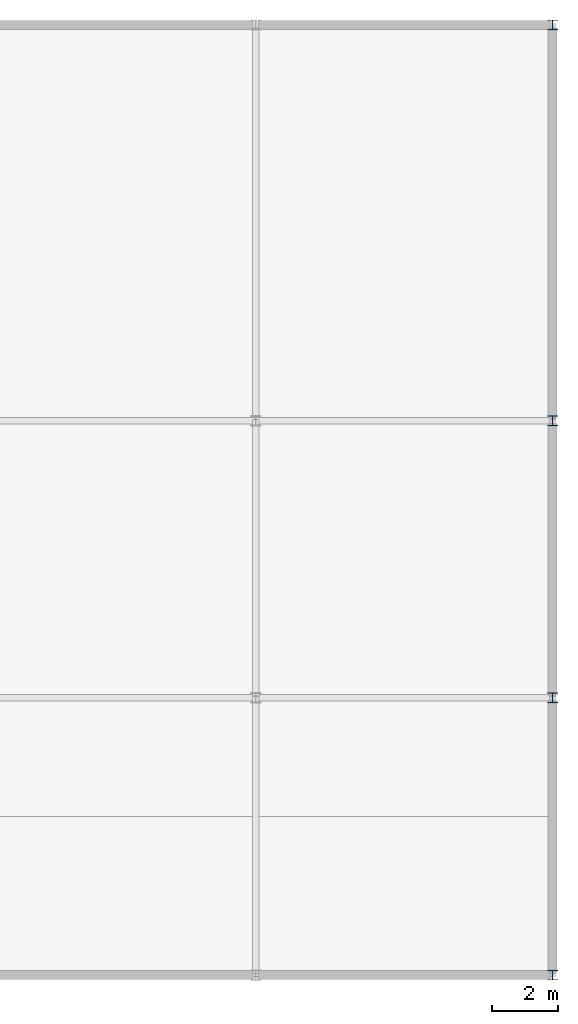
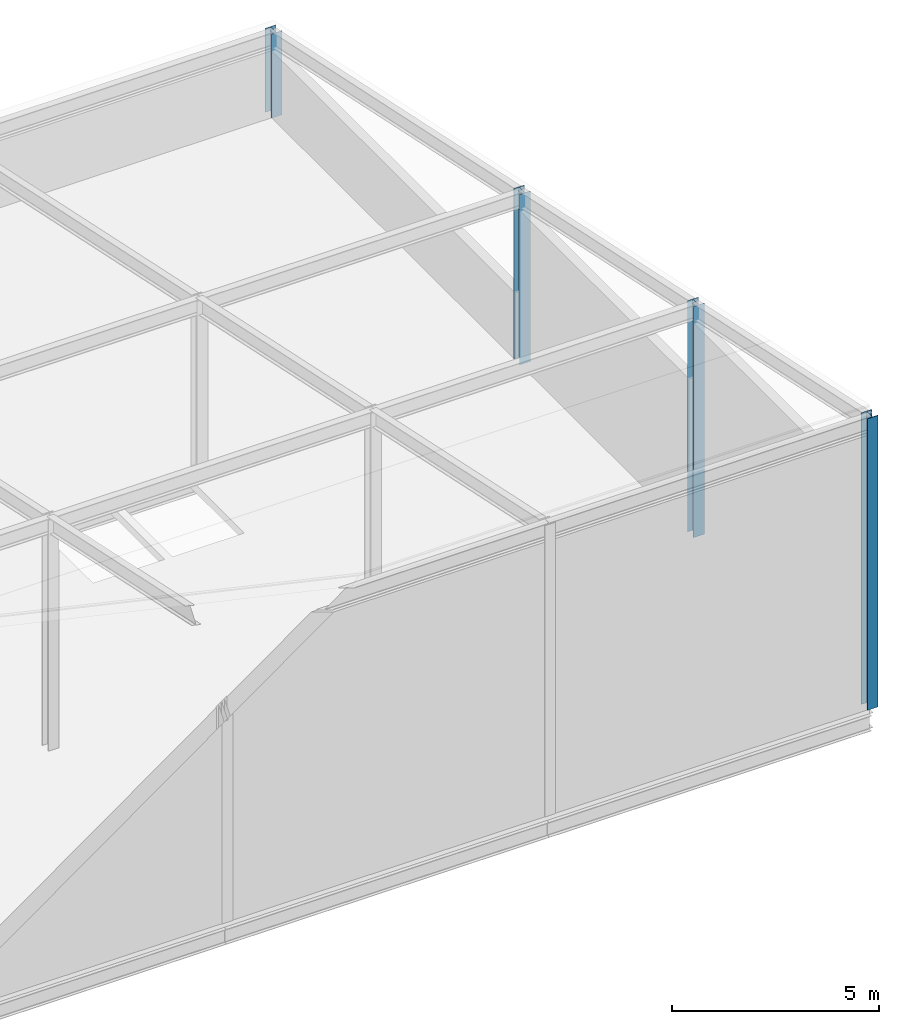
# One storey, part 2 of 5: 4 columns.
"""IFC4 building model written with IfcOpenShell, lengths in metres."""

from ifc_helpers import new_model, si_unit, direction, frame, origin, origin_2d, place, context, subcontext, project, spatial, i_section, extrude, material, material_profile, profile_set, type_object, element, save


model = new_model("IFC4")

# Units and contexts
model_context = context("Model", 3, precision=1e-05, world=origin(), true_north=direction((0.0, 1.0)))
body_context = subcontext(model_context, "Body", "Model", "MODEL_VIEW")
ifc_project = project(units=[si_unit("LENGTHUNIT", "METRE"), si_unit("AREAUNIT", "SQUARE_METRE"), si_unit("VOLUMEUNIT", "CUBIC_METRE"), si_unit("PLANEANGLEUNIT", "RADIAN"), si_unit("MASSUNIT", "GRAM", prefix="KILO")], contexts=[model_context])

# Site, building, storey
site_placement = place(None, origin())
site = spatial("IfcSite", under=ifc_project, at=site_placement, CompositionType="ELEMENT")
building_placement = place(site_placement, origin())
building = spatial("IfcBuilding", under=site, at=building_placement, Name="Yukiwa Park Conservatory and Herbarium", CompositionType="ELEMENT")
storey_placement = place(building_placement, frame((0.0, 0.0, 65.39990234375)))
storey = spatial("IfcBuildingStorey", under=building, at=storey_placement, Name="RF", CompositionType="ELEMENT", Elevation=65.39990234375)

# Columns
ifc_material = material(Name="Steel Q355D", Category="steel")
ifc_material_profile = material_profile(ifc_material, i_section(OverallWidth=0.300048828125, OverallDepth=0.300048828125, WebThickness=0.010009765625, FlangeThickness=0.014892578125, FilletRadius=0.01806640625, at=origin_2d()), Name="HW 300x300x10x15")
ifc_profile_set = profile_set([ifc_material_profile], Name="Steel Q355D")
column_type = type_object("IfcColumnType", Name="COL-TW-HW300-EXT", PredefinedType="COLUMN", material=ifc_profile_set)
column_1_placement = place(storey_placement, frame((168.0, 86.39990234375, 0.0), z_axis=(0.0, 0.0, 1.0), x_axis=(1.0, 0.0, 0.0)))
element("IfcColumn", 1, at=column_1_placement, inside=storey, type_object=column_type, Name="Tower crown roof post 168-86", PredefinedType="COLUMN", context=body_context, shape_type="SweptSolid", body=[
    extrude(i_section(OverallWidth=0.300048828125, OverallDepth=0.300048828125, WebThickness=0.010009765625, FlangeThickness=0.014892578125, FilletRadius=0.01806640625, at=origin_2d()), origin(), (0.0, 0.0, 1.0), 8.5966796875),
])
column_2_placement = place(storey_placement, frame((168.0, 94.800048828125, 0.0), z_axis=(0.0, 0.0, 1.0), x_axis=(1.0, 0.0, 0.0)))
element("IfcColumn", 2, at=column_2_placement, inside=storey, type_object=column_type, Name="Tower crown roof post 168-94", PredefinedType="COLUMN", context=body_context, shape_type="SweptSolid", body=[
    extrude(i_section(OverallWidth=0.300048828125, OverallDepth=0.300048828125, WebThickness=0.010009765625, FlangeThickness=0.014892578125, FilletRadius=0.01806640625, at=origin_2d()), origin(), (0.0, 0.0, 1.0), 6.811279296875),
])
column_3_placement = place(storey_placement, frame((168.0, 103.199951171875, 0.0), z_axis=(0.0, 0.0, 1.0), x_axis=(1.0, 0.0, 0.0)))
element("IfcColumn", 3, at=column_3_placement, inside=storey, type_object=column_type, Name="Tower crown roof post 168-103", PredefinedType="COLUMN", context=body_context, shape_type="SweptSolid", body=[
    extrude(i_section(OverallWidth=0.300048828125, OverallDepth=0.300048828125, WebThickness=0.010009765625, FlangeThickness=0.014892578125, FilletRadius=0.01806640625, at=origin_2d()), origin(), (0.0, 0.0, 1.0), 5.02587890625),
])
column_4_placement = place(storey_placement, frame((168.0, 115.199951171875, 0.0), z_axis=(0.0, 0.0, 1.0), x_axis=(1.0, 0.0, 0.0)))
element("IfcColumn", 4, at=column_4_placement, inside=storey, type_object=column_type, Name="Tower crown roof post 168-115", PredefinedType="COLUMN", context=body_context, shape_type="SweptSolid", body=[
    extrude(i_section(OverallWidth=0.300048828125, OverallDepth=0.300048828125, WebThickness=0.010009765625, FlangeThickness=0.014892578125, FilletRadius=0.01806640625, at=origin_2d()), origin(), (0.0, 0.0, 1.0), 2.47509765625),
])

save(model, "model.ifc")
